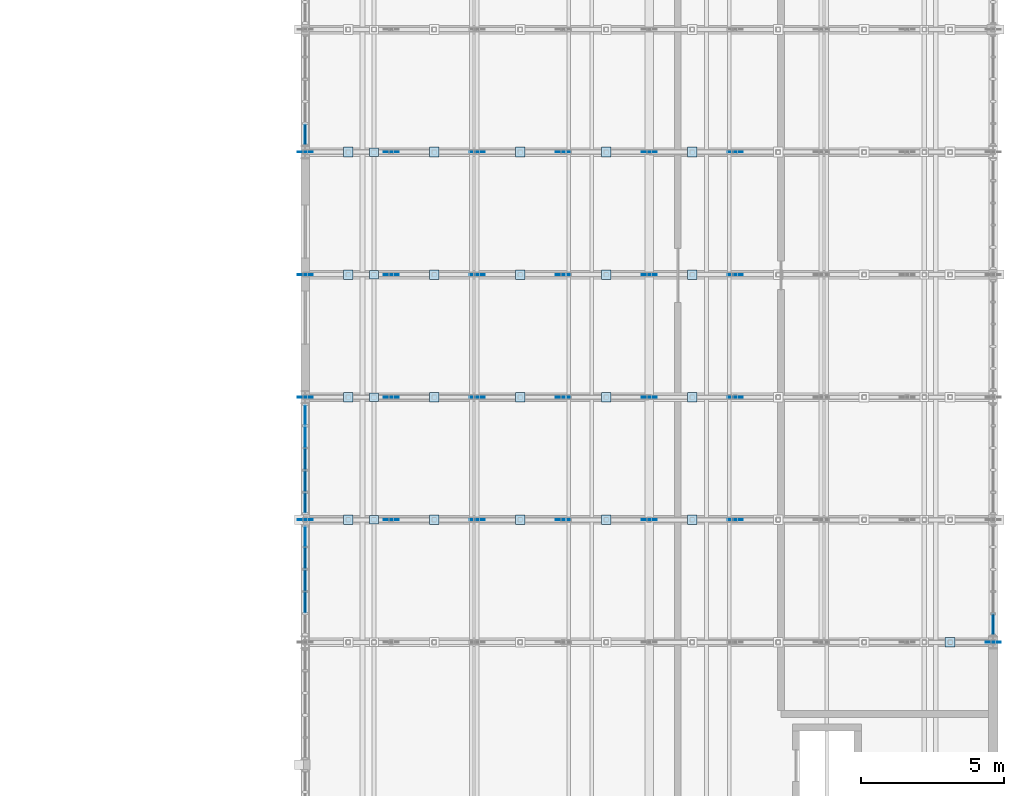
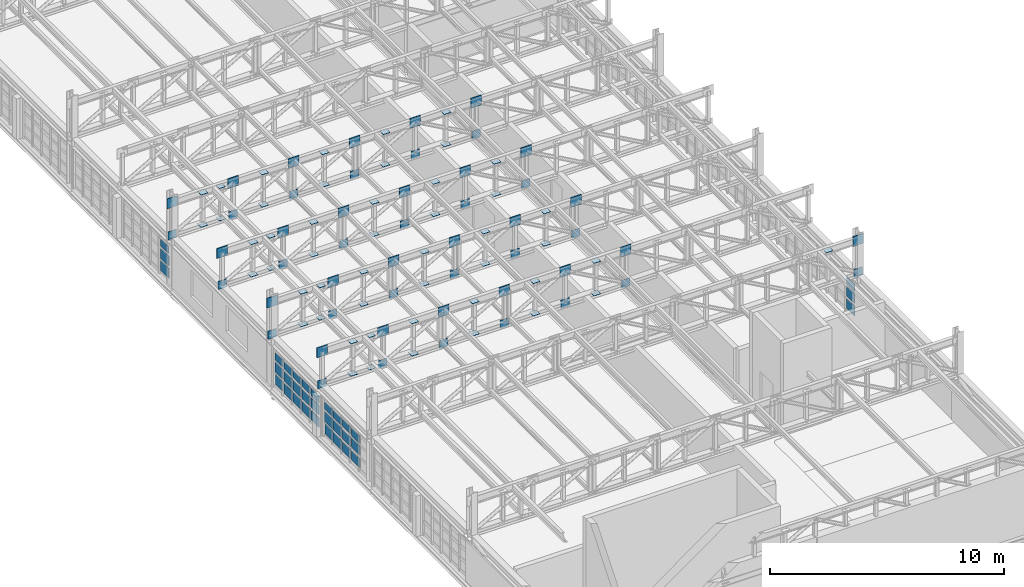
# One storey, part 106 of 128: 132 plates, 4 elements without a shape of their own.
"""IFC4 building model written with IfcOpenShell, lengths in metres."""

from ifc_helpers import new_model, si_unit, direction, frame, origin, origin_2d, place, context, subcontext, project, spatial, rectangle, extrude, material, layer, layer_set, type_object, element, aggregate, save


model = new_model("IFC4")

# Units and contexts
model_context = context("Model", 3, precision=1e-05, world=origin(), true_north=direction((0.0, 1.0)))
body_context = subcontext(model_context, "Body", "Model", "MODEL_VIEW")
ifc_project = project(units=[si_unit("LENGTHUNIT", "METRE"), si_unit("AREAUNIT", "SQUARE_METRE"), si_unit("VOLUMEUNIT", "CUBIC_METRE"), si_unit("PLANEANGLEUNIT", "RADIAN"), si_unit("MASSUNIT", "GRAM", prefix="KILO")], contexts=[model_context])

# Site, building, storey
site_placement = place(None, origin())
site = spatial("IfcSite", under=ifc_project, at=site_placement, CompositionType="ELEMENT")
building_placement = place(site_placement, origin())
building = spatial("IfcBuilding", under=site, at=building_placement, Name="Serraforn Aerial Cableway Station", CompositionType="ELEMENT")
storey_placement = place(building_placement, frame((0.0, 0.0, 9.0)))
storey = spatial("IfcBuildingStorey", under=building, at=storey_placement, Name="L02", CompositionType="ELEMENT", Elevation=9.0)

# Curtain wall, plates
ifc_material_1 = material(Name="Anodised bronze unitised curtain wall")
curtain_wall_type_1 = type_object("IfcCurtainWallType", Name="CW-SYS-25", PredefinedType="USERDEFINED", material=ifc_material_1)
curtain_wall_1_placement = place(storey_placement, origin())
curtain_wall_1 = element("IfcCurtainWall", 1, at=curtain_wall_1_placement, inside=storey, type_object=curtain_wall_type_1, Name="Unitised Curtain Wall CW-EG-L02-W3A", ObjectType="UNITISED CURTAIN WALL", PredefinedType="USERDEFINED")
ifc_material_2 = material(Name="Solar-control low-E double glazing", Category="glass")
ifc_layer_1 = layer(ifc_material_2, 0.028076171875)
ifc_layer_set_1 = layer_set([ifc_layer_1], Name="Solar-control low-E double glazing")
plate_type_1 = type_object("IfcPlateType", Name="CW-GLZ-2", PredefinedType="CURTAIN_PANEL", material=ifc_layer_set_1)
plate_1_placement = place(storey_placement, frame((144.0, 70.62353515625, 0.165283203125), z_axis=(0.0, 0.0, 1.0), x_axis=(1.0, 0.0, 0.0)))
plate_1 = element("IfcPlate", 2, at=plate_1_placement, type_object=plate_type_1, Name="Curtain Wall Panel CW-EG-L02-W3A-P1-1", PredefinedType="CURTAIN_PANEL", context=body_context, shape_type="SweptSolid", body=[
    extrude(rectangle(XDim=0.028076171875, YDim=0.6708984375, at=origin_2d()), origin(), (0.0, 0.0, 1.0), 0.50244140625),
])
ifc_layer_2 = layer(ifc_material_2, 0.030029296875)
ifc_layer_set_2 = layer_set([ifc_layer_2], Name="Solar-control low-E double glazing")
plate_type_2 = type_object("IfcPlateType", Name="CW-GLZ-3", PredefinedType="CURTAIN_PANEL", material=ifc_layer_set_2)
plate_2_placement = place(storey_placement, frame((144.0, 70.62353515625, 0.77392578125), z_axis=(0.0, 0.0, 1.0), x_axis=(1.0, 0.0, 0.0)))
plate_2 = element("IfcPlate", 3, at=plate_2_placement, type_object=plate_type_2, Name="Curtain Wall Panel CW-EG-L02-W3A-P1-2", PredefinedType="CURTAIN_PANEL", context=body_context, shape_type="SweptSolid", body=[
    extrude(rectangle(XDim=0.030029296875, YDim=0.6708984375, at=origin_2d()), origin(), (0.0, 0.0, 1.0), 0.52490234375),
])
plate_3_placement = place(storey_placement, frame((144.0, 69.8603515625, 0.137939453125), z_axis=(0.0, 0.0, 1.0), x_axis=(1.0, 0.0, 0.0)))
plate_3 = element("IfcPlate", 4, at=plate_3_placement, type_object=plate_type_2, Name="Curtain Wall Panel CW-EG-L02-W3A-P2-1", PredefinedType="CURTAIN_PANEL", context=body_context, shape_type="SweptSolid", body=[
    extrude(rectangle(XDim=0.030029296875, YDim=0.71337890625, at=origin_2d()), origin(), (0.0, 0.0, 1.0), 0.52490234375),
])

# Curtain wall, plate
curtain_wall_type_2 = type_object("IfcCurtainWallType", Name="CW-SYS-26", PredefinedType="USERDEFINED", material=ifc_material_1)
curtain_wall_2_placement = place(storey_placement, origin())
curtain_wall_2 = element("IfcCurtainWall", 5, at=curtain_wall_2_placement, inside=storey, type_object=curtain_wall_type_2, Name="Unitised Curtain Wall CW-EG-L02-W3B", ObjectType="UNITISED CURTAIN WALL", PredefinedType="USERDEFINED")
plate_4_placement = place(storey_placement, frame((144.0, 66.384033203125, 0.137939453125), z_axis=(0.0, 0.0, 1.0), x_axis=(1.0, 0.0, 0.0)))
plate_4 = element("IfcPlate", 6, at=plate_4_placement, type_object=plate_type_2, Name="Curtain Wall Panel CW-EG-L02-W3B-P1-1", PredefinedType="CURTAIN_PANEL", context=body_context, shape_type="SweptSolid", body=[
    extrude(rectangle(XDim=0.030029296875, YDim=0.67578125, at=origin_2d()), origin(), (0.0, 0.0, 1.0), 0.52490234375),
])

# Plate
ifc_layer_3 = layer(ifc_material_2, 0.031982421875)
ifc_layer_set_3 = layer_set([ifc_layer_3], Name="Solar-control low-E double glazing")
plate_type_3 = type_object("IfcPlateType", Name="CW-GLZ-4", PredefinedType="CURTAIN_PANEL", material=ifc_layer_set_3)
plate_5_placement = place(storey_placement, frame((144.0, 70.62353515625, 1.414794921875), z_axis=(0.0, 0.0, 1.0), x_axis=(1.0, 0.0, 0.0)))
plate_5 = element("IfcPlate", 7, at=plate_5_placement, type_object=plate_type_3, Name="Curtain Wall Panel CW-EG-L02-W3A-P1-3", PredefinedType="CURTAIN_PANEL", context=body_context, shape_type="SweptSolid", body=[
    extrude(rectangle(XDim=0.031982421875, YDim=0.6708984375, at=origin_2d()), origin(), (0.0, 0.0, 1.0), 0.38525390625),
])

plate_6_placement = place(storey_placement, frame((144.0, 69.8603515625, 0.77880859375), z_axis=(0.0, 0.0, 1.0), x_axis=(1.0, 0.0, 0.0)))
plate_6 = element("IfcPlate", 8, at=plate_6_placement, type_object=plate_type_3, Name="Curtain Wall Panel CW-EG-L02-W3A-P2-2", PredefinedType="CURTAIN_PANEL", context=body_context, shape_type="SweptSolid", body=[
    extrude(rectangle(XDim=0.031982421875, YDim=0.71337890625, at=origin_2d()), origin(), (0.0, 0.0, 1.0), 0.512451171875),
])

plate_7_placement = place(storey_placement, frame((144.0, 69.09228515625, 0.142578125), z_axis=(0.0, 0.0, 1.0), x_axis=(1.0, 0.0, 0.0)))
plate_7 = element("IfcPlate", 9, at=plate_7_placement, type_object=plate_type_3, Name="Curtain Wall Panel CW-EG-L02-W3A-P3-1", PredefinedType="CURTAIN_PANEL", context=body_context, shape_type="SweptSolid", body=[
    extrude(rectangle(XDim=0.031982421875, YDim=0.720947265625, at=origin_2d()), origin(), (0.0, 0.0, 1.0), 0.512451171875),
])

plate_8_placement = place(storey_placement, frame((144.0, 66.384033203125, 0.77880859375), z_axis=(0.0, 0.0, 1.0), x_axis=(1.0, 0.0, 0.0)))
plate_8 = element("IfcPlate", 10, at=plate_8_placement, type_object=plate_type_3, Name="Curtain Wall Panel CW-EG-L02-W3B-P1-2", PredefinedType="CURTAIN_PANEL", context=body_context, shape_type="SweptSolid", body=[
    extrude(rectangle(XDim=0.031982421875, YDim=0.67578125, at=origin_2d()), origin(), (0.0, 0.0, 1.0), 0.512451171875),
])

plate_9_placement = place(storey_placement, frame((144.0, 65.634765625, 0.142578125), z_axis=(0.0, 0.0, 1.0), x_axis=(1.0, 0.0, 0.0)))
plate_9 = element("IfcPlate", 11, at=plate_9_placement, type_object=plate_type_3, Name="Curtain Wall Panel CW-EG-L02-W3B-P2-1", PredefinedType="CURTAIN_PANEL", context=body_context, shape_type="SweptSolid", body=[
    extrude(rectangle(XDim=0.031982421875, YDim=0.720947265625, at=origin_2d()), origin(), (0.0, 0.0, 1.0), 0.512451171875),
])

# Curtain wall, plate
curtain_wall_type_3 = type_object("IfcCurtainWallType", Name="CW-SYS-27", PredefinedType="USERDEFINED", material=ifc_material_1)
curtain_wall_3_placement = place(storey_placement, origin())
curtain_wall_3 = element("IfcCurtainWall", 12, at=curtain_wall_3_placement, inside=storey, type_object=curtain_wall_type_3, Name="Unitised Curtain Wall CW-EG-L02-E3A", ObjectType="UNITISED CURTAIN WALL", PredefinedType="USERDEFINED")
plate_10_placement = place(storey_placement, frame((168.0, 63.32275390625, 0.142578125), z_axis=(0.0, 0.0, 1.0), x_axis=(1.0, 0.0, 0.0)))
plate_10 = element("IfcPlate", 13, at=plate_10_placement, type_object=plate_type_3, Name="Curtain Wall Panel CW-EG-L02-E3A-P1-1", PredefinedType="CURTAIN_PANEL", context=body_context, shape_type="SweptSolid", body=[
    extrude(rectangle(XDim=0.031982421875, YDim=0.693359375, at=origin_2d()), origin(), (0.0, 0.0, 1.0), 0.512451171875),
])

# Plate
ifc_layer_4 = layer(ifc_material_2, 0.033935546875)
ifc_layer_set_4 = layer_set([ifc_layer_4], Name="Solar-control low-E double glazing")
plate_type_4 = type_object("IfcPlateType", Name="CW-GLZ-5", PredefinedType="CURTAIN_PANEL", material=ifc_layer_set_4)
plate_11_placement = place(storey_placement, frame((144.0, 69.8603515625, 1.42236328125), z_axis=(0.0, 0.0, 1.0), x_axis=(1.0, 0.0, 0.0)))
plate_11 = element("IfcPlate", 14, at=plate_11_placement, type_object=plate_type_4, Name="Curtain Wall Panel CW-EG-L02-W3A-P2-3", PredefinedType="CURTAIN_PANEL", context=body_context, shape_type="SweptSolid", body=[
    extrude(rectangle(XDim=0.033935546875, YDim=0.71337890625, at=origin_2d()), origin(), (0.0, 0.0, 1.0), 0.370361328125),
])

plate_12_placement = place(storey_placement, frame((144.0, 69.09228515625, 0.786376953125), z_axis=(0.0, 0.0, 1.0), x_axis=(1.0, 0.0, 0.0)))
plate_12 = element("IfcPlate", 15, at=plate_12_placement, type_object=plate_type_4, Name="Curtain Wall Panel CW-EG-L02-W3A-P3-2", PredefinedType="CURTAIN_PANEL", context=body_context, shape_type="SweptSolid", body=[
    extrude(rectangle(XDim=0.033935546875, YDim=0.720947265625, at=origin_2d()), origin(), (0.0, 0.0, 1.0), 0.49755859375),
])

plate_13_placement = place(storey_placement, frame((144.0, 68.31787109375, 0.150390625), z_axis=(0.0, 0.0, 1.0), x_axis=(1.0, 0.0, 0.0)))
plate_13 = element("IfcPlate", 16, at=plate_13_placement, type_object=plate_type_4, Name="Curtain Wall Panel CW-EG-L02-W3A-P4-1", PredefinedType="CURTAIN_PANEL", context=body_context, shape_type="SweptSolid", body=[
    extrude(rectangle(XDim=0.033935546875, YDim=0.7158203125, at=origin_2d()), origin(), (0.0, 0.0, 1.0), 0.49755859375),
])

plate_14_placement = place(storey_placement, frame((144.0, 66.384033203125, 1.42236328125), z_axis=(0.0, 0.0, 1.0), x_axis=(1.0, 0.0, 0.0)))
plate_14 = element("IfcPlate", 17, at=plate_14_placement, type_object=plate_type_4, Name="Curtain Wall Panel CW-EG-L02-W3B-P1-3", PredefinedType="CURTAIN_PANEL", context=body_context, shape_type="SweptSolid", body=[
    extrude(rectangle(XDim=0.033935546875, YDim=0.67578125, at=origin_2d()), origin(), (0.0, 0.0, 1.0), 0.370361328125),
])

plate_15_placement = place(storey_placement, frame((144.0, 65.634765625, 0.786376953125), z_axis=(0.0, 0.0, 1.0), x_axis=(1.0, 0.0, 0.0)))
plate_15 = element("IfcPlate", 18, at=plate_15_placement, type_object=plate_type_4, Name="Curtain Wall Panel CW-EG-L02-W3B-P2-2", PredefinedType="CURTAIN_PANEL", context=body_context, shape_type="SweptSolid", body=[
    extrude(rectangle(XDim=0.033935546875, YDim=0.720947265625, at=origin_2d()), origin(), (0.0, 0.0, 1.0), 0.49755859375),
])

plate_16_placement = place(storey_placement, frame((144.0, 64.8603515625, 0.150390625), z_axis=(0.0, 0.0, 1.0), x_axis=(1.0, 0.0, 0.0)))
plate_16 = element("IfcPlate", 19, at=plate_16_placement, type_object=plate_type_4, Name="Curtain Wall Panel CW-EG-L02-W3B-P3-1", PredefinedType="CURTAIN_PANEL", context=body_context, shape_type="SweptSolid", body=[
    extrude(rectangle(XDim=0.033935546875, YDim=0.7158203125, at=origin_2d()), origin(), (0.0, 0.0, 1.0), 0.49755859375),
])

plate_17_placement = place(storey_placement, frame((168.0, 63.32275390625, 0.786376953125), z_axis=(0.0, 0.0, 1.0), x_axis=(1.0, 0.0, 0.0)))
plate_17 = element("IfcPlate", 20, at=plate_17_placement, type_object=plate_type_4, Name="Curtain Wall Panel CW-EG-L02-E3A-P1-2", PredefinedType="CURTAIN_PANEL", context=body_context, shape_type="SweptSolid", body=[
    extrude(rectangle(XDim=0.033935546875, YDim=0.693359375, at=origin_2d()), origin(), (0.0, 0.0, 1.0), 0.49755859375),
])

# Curtain wall, plate
curtain_wall_type_4 = type_object("IfcCurtainWallType", Name="CW-SYS-4", PredefinedType="USERDEFINED", material=ifc_material_1)
curtain_wall_4_placement = place(storey_placement, origin())
curtain_wall_4 = element("IfcCurtainWall", 21, at=curtain_wall_4_placement, inside=storey, type_object=curtain_wall_type_4, Name="Unitised Curtain Wall CW-EG-L02-W5B", ObjectType="UNITISED CURTAIN WALL", PredefinedType="USERDEFINED")
plate_18_placement = place(storey_placement, frame((144.0, 80.4189453125, 0.137939453125), z_axis=(0.0, 0.0, 1.0), x_axis=(1.0, 0.0, 0.0)))
plate_18 = element("IfcPlate", 22, at=plate_18_placement, type_object=plate_type_4, Name="Curtain Wall Panel CW-EG-L02-W5B-P5-1", PredefinedType="CURTAIN_PANEL", context=body_context, shape_type="SweptSolid", body=[
    extrude(rectangle(XDim=0.033935546875, YDim=0.685791015625, at=origin_2d()), origin(), (0.0, 0.0, 1.0), 0.52490234375),
])

# Plate
ifc_layer_5 = layer(ifc_material_2, 0.035888671875)
ifc_layer_set_5 = layer_set([ifc_layer_5], Name="Solar-control low-E double glazing")
plate_type_5 = type_object("IfcPlateType", Name="CW-GLZ-6", PredefinedType="CURTAIN_PANEL", material=ifc_layer_set_5)
plate_19_placement = place(storey_placement, frame((144.0, 69.09228515625, 1.4296875), z_axis=(0.0, 0.0, 1.0), x_axis=(1.0, 0.0, 0.0)))
plate_19 = element("IfcPlate", 23, at=plate_19_placement, type_object=plate_type_5, Name="Curtain Wall Panel CW-EG-L02-W3A-P3-3", PredefinedType="CURTAIN_PANEL", context=body_context, shape_type="SweptSolid", body=[
    extrude(rectangle(XDim=0.035888671875, YDim=0.720947265625, at=origin_2d()), origin(), (0.0, 0.0, 1.0), 0.355224609375),
])

plate_20_placement = place(storey_placement, frame((144.0, 68.31787109375, 0.7939453125), z_axis=(0.0, 0.0, 1.0), x_axis=(1.0, 0.0, 0.0)))
plate_20 = element("IfcPlate", 24, at=plate_20_placement, type_object=plate_type_5, Name="Curtain Wall Panel CW-EG-L02-W3A-P4-2", PredefinedType="CURTAIN_PANEL", context=body_context, shape_type="SweptSolid", body=[
    extrude(rectangle(XDim=0.035888671875, YDim=0.7158203125, at=origin_2d()), origin(), (0.0, 0.0, 1.0), 0.482421875),
])

plate_21_placement = place(storey_placement, frame((144.0, 67.56103515625, 0.15771484375), z_axis=(0.0, 0.0, 1.0), x_axis=(1.0, 0.0, 0.0)))
plate_21 = element("IfcPlate", 25, at=plate_21_placement, type_object=plate_type_5, Name="Curtain Wall Panel CW-EG-L02-W3A-P5-1", PredefinedType="CURTAIN_PANEL", context=body_context, shape_type="SweptSolid", body=[
    extrude(rectangle(XDim=0.035888671875, YDim=0.67578125, at=origin_2d()), origin(), (0.0, 0.0, 1.0), 0.482421875),
])

plate_22_placement = place(storey_placement, frame((144.0, 65.634765625, 1.4296875), z_axis=(0.0, 0.0, 1.0), x_axis=(1.0, 0.0, 0.0)))
plate_22 = element("IfcPlate", 26, at=plate_22_placement, type_object=plate_type_5, Name="Curtain Wall Panel CW-EG-L02-W3B-P2-3", PredefinedType="CURTAIN_PANEL", context=body_context, shape_type="SweptSolid", body=[
    extrude(rectangle(XDim=0.035888671875, YDim=0.720947265625, at=origin_2d()), origin(), (0.0, 0.0, 1.0), 0.355224609375),
])

plate_23_placement = place(storey_placement, frame((144.0, 64.8603515625, 0.7939453125), z_axis=(0.0, 0.0, 1.0), x_axis=(1.0, 0.0, 0.0)))
plate_23 = element("IfcPlate", 27, at=plate_23_placement, type_object=plate_type_5, Name="Curtain Wall Panel CW-EG-L02-W3B-P3-2", PredefinedType="CURTAIN_PANEL", context=body_context, shape_type="SweptSolid", body=[
    extrude(rectangle(XDim=0.035888671875, YDim=0.7158203125, at=origin_2d()), origin(), (0.0, 0.0, 1.0), 0.482421875),
])

plate_24_placement = place(storey_placement, frame((144.0, 64.0859375, 0.15771484375), z_axis=(0.0, 0.0, 1.0), x_axis=(1.0, 0.0, 0.0)))
plate_24 = element("IfcPlate", 28, at=plate_24_placement, type_object=plate_type_5, Name="Curtain Wall Panel CW-EG-L02-W3B-P4-1", PredefinedType="CURTAIN_PANEL", context=body_context, shape_type="SweptSolid", body=[
    extrude(rectangle(XDim=0.035888671875, YDim=0.7109375, at=origin_2d()), origin(), (0.0, 0.0, 1.0), 0.482421875),
])

plate_25_placement = place(storey_placement, frame((168.0, 63.32275390625, 1.4296875), z_axis=(0.0, 0.0, 1.0), x_axis=(1.0, 0.0, 0.0)))
plate_25 = element("IfcPlate", 29, at=plate_25_placement, type_object=plate_type_5, Name="Curtain Wall Panel CW-EG-L02-E3A-P1-3", PredefinedType="CURTAIN_PANEL", context=body_context, shape_type="SweptSolid", body=[
    extrude(rectangle(XDim=0.035888671875, YDim=0.693359375, at=origin_2d()), origin(), (0.0, 0.0, 1.0), 0.355224609375),
])

aggregate(curtain_wall_3, [plate_10, plate_17, plate_25])

plate_26_placement = place(storey_placement, frame((144.0, 80.4189453125, 0.77880859375), z_axis=(0.0, 0.0, 1.0), x_axis=(1.0, 0.0, 0.0)))
plate_26 = element("IfcPlate", 30, at=plate_26_placement, type_object=plate_type_5, Name="Curtain Wall Panel CW-EG-L02-W5B-P5-2", PredefinedType="CURTAIN_PANEL", context=body_context, shape_type="SweptSolid", body=[
    extrude(rectangle(XDim=0.035888671875, YDim=0.685791015625, at=origin_2d()), origin(), (0.0, 0.0, 1.0), 0.512451171875),
])

ifc_layer_6 = layer(ifc_material_2, 0.029052734375)
ifc_layer_set_6 = layer_set([ifc_layer_6], Name="Solar-control low-E double glazing")
plate_type_6 = type_object("IfcPlateType", Name="CW-GLZ-7", PredefinedType="CURTAIN_PANEL", material=ifc_layer_set_6)
plate_27_placement = place(storey_placement, frame((144.0, 68.31787109375, 1.4375), z_axis=(0.0, 0.0, 1.0), x_axis=(1.0, 0.0, 0.0)))
plate_27 = element("IfcPlate", 31, at=plate_27_placement, type_object=plate_type_6, Name="Curtain Wall Panel CW-EG-L02-W3A-P4-3", PredefinedType="CURTAIN_PANEL", context=body_context, shape_type="SweptSolid", body=[
    extrude(rectangle(XDim=0.029052734375, YDim=0.7158203125, at=origin_2d()), origin(), (0.0, 0.0, 1.0), 0.375244140625),
])

plate_28_placement = place(storey_placement, frame((144.0, 67.56103515625, 0.80126953125), z_axis=(0.0, 0.0, 1.0), x_axis=(1.0, 0.0, 0.0)))
plate_28 = element("IfcPlate", 32, at=plate_28_placement, type_object=plate_type_6, Name="Curtain Wall Panel CW-EG-L02-W3A-P5-2", PredefinedType="CURTAIN_PANEL", context=body_context, shape_type="SweptSolid", body=[
    extrude(rectangle(XDim=0.029052734375, YDim=0.67578125, at=origin_2d()), origin(), (0.0, 0.0, 1.0), 0.50244140625),
])

plate_29_placement = place(storey_placement, frame((144.0, 64.8603515625, 1.4375), z_axis=(0.0, 0.0, 1.0), x_axis=(1.0, 0.0, 0.0)))
plate_29 = element("IfcPlate", 33, at=plate_29_placement, type_object=plate_type_6, Name="Curtain Wall Panel CW-EG-L02-W3B-P3-3", PredefinedType="CURTAIN_PANEL", context=body_context, shape_type="SweptSolid", body=[
    extrude(rectangle(XDim=0.029052734375, YDim=0.7158203125, at=origin_2d()), origin(), (0.0, 0.0, 1.0), 0.375244140625),
])

plate_30_placement = place(storey_placement, frame((144.0, 64.0859375, 0.80126953125), z_axis=(0.0, 0.0, 1.0), x_axis=(1.0, 0.0, 0.0)))
plate_30 = element("IfcPlate", 34, at=plate_30_placement, type_object=plate_type_6, Name="Curtain Wall Panel CW-EG-L02-W3B-P4-2", PredefinedType="CURTAIN_PANEL", context=body_context, shape_type="SweptSolid", body=[
    extrude(rectangle(XDim=0.029052734375, YDim=0.7109375, at=origin_2d()), origin(), (0.0, 0.0, 1.0), 0.50244140625),
])

plate_31_placement = place(storey_placement, frame((144.0, 80.4189453125, 1.42236328125), z_axis=(0.0, 0.0, 1.0), x_axis=(1.0, 0.0, 0.0)))
plate_31 = element("IfcPlate", 35, at=plate_31_placement, type_object=plate_type_6, Name="Curtain Wall Panel CW-EG-L02-W5B-P5-3", PredefinedType="CURTAIN_PANEL", context=body_context, shape_type="SweptSolid", body=[
    extrude(rectangle(XDim=0.029052734375, YDim=0.685791015625, at=origin_2d()), origin(), (0.0, 0.0, 1.0), 0.370361328125),
])

aggregate(curtain_wall_4, [plate_18, plate_26, plate_31])

ifc_layer_7 = layer(ifc_material_2, 0.031005859375)
ifc_layer_set_7 = layer_set([ifc_layer_7], Name="Solar-control low-E double glazing")
plate_type_7 = type_object("IfcPlateType", Name="CW-GLZ-8", PredefinedType="CURTAIN_PANEL", material=ifc_layer_set_7)
plate_32_placement = place(storey_placement, frame((144.0, 67.56103515625, 1.40966796875), z_axis=(0.0, 0.0, 1.0), x_axis=(1.0, 0.0, 0.0)))
plate_32 = element("IfcPlate", 36, at=plate_32_placement, type_object=plate_type_7, Name="Curtain Wall Panel CW-EG-L02-W3A-P5-3", PredefinedType="CURTAIN_PANEL", context=body_context, shape_type="SweptSolid", body=[
    extrude(rectangle(XDim=0.031005859375, YDim=0.67578125, at=origin_2d()), origin(), (0.0, 0.0, 1.0), 0.397705078125),
])

aggregate(curtain_wall_1, [plate_1, plate_2, plate_5, plate_3, plate_6, plate_11, plate_7, plate_12, plate_19, plate_13, plate_20, plate_27, plate_21, plate_28, plate_32])

plate_33_placement = place(storey_placement, frame((144.0, 64.0859375, 1.40966796875), z_axis=(0.0, 0.0, 1.0), x_axis=(1.0, 0.0, 0.0)))
plate_33 = element("IfcPlate", 37, at=plate_33_placement, type_object=plate_type_7, Name="Curtain Wall Panel CW-EG-L02-W3B-P4-3", PredefinedType="CURTAIN_PANEL", context=body_context, shape_type="SweptSolid", body=[
    extrude(rectangle(XDim=0.031005859375, YDim=0.7109375, at=origin_2d()), origin(), (0.0, 0.0, 1.0), 0.397705078125),
])

aggregate(curtain_wall_2, [plate_4, plate_8, plate_14, plate_9, plate_15, plate_22, plate_16, plate_23, plate_29, plate_24, plate_30, plate_33])

# Plates
ifc_material_3 = material(Name="Steel S355J2", Category="steel")
ifc_layer_8 = layer(ifc_material_3, 0.01611328125)
ifc_layer_set_8 = layer_set([ifc_layer_8], Name="Steel S355J2")
plate_type_8 = type_object("IfcPlateType", Name="PLT-CAP-16", PredefinedType="USERDEFINED", material=ifc_layer_set_8)
for number, where, z_axis, x_axis, name in (
    (38, (146.39990234375, 66.97509765625, 2.592041015625), (0.0, 0.0, 1.0), (1.0, 0.0, 0.0), "Suspension Post Bottom Cap 013"),
    (39, (146.39990234375, 66.97509765625, 4.281982421875), (0.0, 0.0, 1.0), (1.0, 0.0, 0.0), "Suspension Post Top Cap 013"),
    (40, (146.39990234375, 71.25, 2.592041015625), (0.0, 0.0, 1.0), (1.0, 0.0, 0.0), "Suspension Post Bottom Cap 019"),
    (41, (146.39990234375, 71.25, 4.281982421875), (0.0, 0.0, 1.0), (1.0, 0.0, 0.0), "Suspension Post Top Cap 019"),
    (42, (146.39990234375, 75.52490234375, 2.592041015625), (0.0, 0.0, 1.0), (1.0, 0.0, 0.0), "Suspension Post Bottom Cap 025"),
    (43, (146.39990234375, 75.52490234375, 4.281982421875), (0.0, 0.0, 1.0), (1.0, 0.0, 0.0), "Suspension Post Top Cap 025"),
    (44, (146.39990234375, 79.800048828125, 2.592041015625), (0.0, 0.0, 1.0), (1.0, 0.0, 0.0), "Suspension Post Bottom Cap 031"),
    (45, (146.39990234375, 79.800048828125, 4.281982421875), (0.0, 0.0, 1.0), (1.0, 0.0, 0.0), "Suspension Post Top Cap 031"),
):
    element("IfcPlate", number, at=place(storey_placement, frame(where, z_axis=z_axis, x_axis=x_axis)), inside=storey, type_object=plate_type_8, Name=name, ObjectType="CAP PLATE", PredefinedType="USERDEFINED", context=body_context, shape_type="SweptSolid", body=[
        extrude(rectangle(XDim=0.300048828125, YDim=0.300048828125, at=origin_2d()), origin(), (0.0, 0.0, 1.0), 0.01611328125),
    ])
ifc_layer_9 = layer(ifc_material_3, 0.01806640625)
ifc_layer_set_9 = layer_set([ifc_layer_9], Name="Steel S355J2")
plate_type_9 = type_object("IfcPlateType", Name="PLT-CAP-18", PredefinedType="USERDEFINED", material=ifc_layer_set_9)
for number, where, z_axis, x_axis, name in (
    (46, (166.5, 62.699951171875, 4.281005859375), (0.0, 0.0, 1.0), (1.0, 0.0, 0.0), "Sub-Vertical Strut Top Cap GT-03-8"),
    (47, (145.5, 66.97509765625, 2.591064453125), (0.0, 0.0, 1.0), (1.0, 0.0, 0.0), "Sub-Vertical Strut Bottom Cap GT-04-1"),
    (48, (145.5, 66.97509765625, 4.281005859375), (0.0, 0.0, 1.0), (1.0, 0.0, 0.0), "Sub-Vertical Strut Top Cap GT-04-1"),
    (49, (148.5, 66.97509765625, 2.591064453125), (0.0, 0.0, 1.0), (1.0, 0.0, 0.0), "Sub-Vertical Strut Bottom Cap GT-04-2"),
    (50, (148.5, 66.97509765625, 4.281005859375), (0.0, 0.0, 1.0), (1.0, 0.0, 0.0), "Sub-Vertical Strut Top Cap GT-04-2"),
    (51, (151.5, 66.97509765625, 2.591064453125), (0.0, 0.0, 1.0), (1.0, 0.0, 0.0), "Sub-Vertical Strut Bottom Cap GT-04-3"),
    (52, (151.5, 66.97509765625, 4.281005859375), (0.0, 0.0, 1.0), (1.0, 0.0, 0.0), "Sub-Vertical Strut Top Cap GT-04-3"),
    (53, (154.5, 66.97509765625, 2.591064453125), (0.0, 0.0, 1.0), (1.0, 0.0, 0.0), "Sub-Vertical Strut Bottom Cap GT-04-4"),
    (54, (154.5, 66.97509765625, 4.281005859375), (0.0, 0.0, 1.0), (1.0, 0.0, 0.0), "Sub-Vertical Strut Top Cap GT-04-4"),
    (55, (157.5, 66.97509765625, 2.591064453125), (0.0, 0.0, 1.0), (1.0, 0.0, 0.0), "Sub-Vertical Strut Bottom Cap GT-04-5"),
    (56, (157.5, 66.97509765625, 4.281005859375), (0.0, 0.0, 1.0), (1.0, 0.0, 0.0), "Sub-Vertical Strut Top Cap GT-04-5"),
    (57, (145.5, 71.25, 2.591064453125), (0.0, 0.0, 1.0), (1.0, 0.0, 0.0), "Sub-Vertical Strut Bottom Cap GT-05-1"),
    (58, (145.5, 71.25, 4.281005859375), (0.0, 0.0, 1.0), (1.0, 0.0, 0.0), "Sub-Vertical Strut Top Cap GT-05-1"),
    (59, (148.5, 71.25, 2.591064453125), (0.0, 0.0, 1.0), (1.0, 0.0, 0.0), "Sub-Vertical Strut Bottom Cap GT-05-2"),
    (60, (148.5, 71.25, 4.281005859375), (0.0, 0.0, 1.0), (1.0, 0.0, 0.0), "Sub-Vertical Strut Top Cap GT-05-2"),
    (61, (151.5, 71.25, 2.591064453125), (0.0, 0.0, 1.0), (1.0, 0.0, 0.0), "Sub-Vertical Strut Bottom Cap GT-05-3"),
    (62, (151.5, 71.25, 4.281005859375), (0.0, 0.0, 1.0), (1.0, 0.0, 0.0), "Sub-Vertical Strut Top Cap GT-05-3"),
    (63, (154.5, 71.25, 2.591064453125), (0.0, 0.0, 1.0), (1.0, 0.0, 0.0), "Sub-Vertical Strut Bottom Cap GT-05-4"),
    (64, (154.5, 71.25, 4.281005859375), (0.0, 0.0, 1.0), (1.0, 0.0, 0.0), "Sub-Vertical Strut Top Cap GT-05-4"),
    (65, (157.5, 71.25, 2.591064453125), (0.0, 0.0, 1.0), (1.0, 0.0, 0.0), "Sub-Vertical Strut Bottom Cap GT-05-5"),
    (66, (157.5, 71.25, 4.281005859375), (0.0, 0.0, 1.0), (1.0, 0.0, 0.0), "Sub-Vertical Strut Top Cap GT-05-5"),
    (67, (145.5, 75.52490234375, 2.591064453125), (0.0, 0.0, 1.0), (1.0, 0.0, 0.0), "Sub-Vertical Strut Bottom Cap GT-06-1"),
    (68, (145.5, 75.52490234375, 4.281005859375), (0.0, 0.0, 1.0), (1.0, 0.0, 0.0), "Sub-Vertical Strut Top Cap GT-06-1"),
    (69, (148.5, 75.52490234375, 2.591064453125), (0.0, 0.0, 1.0), (1.0, 0.0, 0.0), "Sub-Vertical Strut Bottom Cap GT-06-2"),
    (70, (148.5, 75.52490234375, 4.281005859375), (0.0, 0.0, 1.0), (1.0, 0.0, 0.0), "Sub-Vertical Strut Top Cap GT-06-2"),
    (71, (151.5, 75.52490234375, 2.591064453125), (0.0, 0.0, 1.0), (1.0, 0.0, 0.0), "Sub-Vertical Strut Bottom Cap GT-06-3"),
    (72, (151.5, 75.52490234375, 4.281005859375), (0.0, 0.0, 1.0), (1.0, 0.0, 0.0), "Sub-Vertical Strut Top Cap GT-06-3"),
    (73, (154.5, 75.52490234375, 2.591064453125), (0.0, 0.0, 1.0), (1.0, 0.0, 0.0), "Sub-Vertical Strut Bottom Cap GT-06-4"),
    (74, (154.5, 75.52490234375, 4.281005859375), (0.0, 0.0, 1.0), (1.0, 0.0, 0.0), "Sub-Vertical Strut Top Cap GT-06-4"),
    (75, (157.5, 75.52490234375, 2.591064453125), (0.0, 0.0, 1.0), (1.0, 0.0, 0.0), "Sub-Vertical Strut Bottom Cap GT-06-5"),
    (76, (157.5, 75.52490234375, 4.281005859375), (0.0, 0.0, 1.0), (1.0, 0.0, 0.0), "Sub-Vertical Strut Top Cap GT-06-5"),
    (77, (145.5, 79.800048828125, 2.591064453125), (0.0, 0.0, 1.0), (1.0, 0.0, 0.0), "Sub-Vertical Strut Bottom Cap GT-07-1"),
    (78, (145.5, 79.800048828125, 4.281005859375), (0.0, 0.0, 1.0), (1.0, 0.0, 0.0), "Sub-Vertical Strut Top Cap GT-07-1"),
    (79, (148.5, 79.800048828125, 2.591064453125), (0.0, 0.0, 1.0), (1.0, 0.0, 0.0), "Sub-Vertical Strut Bottom Cap GT-07-2"),
    (80, (148.5, 79.800048828125, 4.281005859375), (0.0, 0.0, 1.0), (1.0, 0.0, 0.0), "Sub-Vertical Strut Top Cap GT-07-2"),
    (81, (151.5, 79.800048828125, 2.591064453125), (0.0, 0.0, 1.0), (1.0, 0.0, 0.0), "Sub-Vertical Strut Bottom Cap GT-07-3"),
    (82, (151.5, 79.800048828125, 4.281005859375), (0.0, 0.0, 1.0), (1.0, 0.0, 0.0), "Sub-Vertical Strut Top Cap GT-07-3"),
    (83, (154.5, 79.800048828125, 2.591064453125), (0.0, 0.0, 1.0), (1.0, 0.0, 0.0), "Sub-Vertical Strut Bottom Cap GT-07-4"),
    (84, (154.5, 79.800048828125, 4.281005859375), (0.0, 0.0, 1.0), (1.0, 0.0, 0.0), "Sub-Vertical Strut Top Cap GT-07-4"),
    (85, (157.5, 79.800048828125, 2.591064453125), (0.0, 0.0, 1.0), (1.0, 0.0, 0.0), "Sub-Vertical Strut Bottom Cap GT-07-5"),
    (86, (157.5, 79.800048828125, 4.281005859375), (0.0, 0.0, 1.0), (1.0, 0.0, 0.0), "Sub-Vertical Strut Top Cap GT-07-5"),
):
    element("IfcPlate", number, at=place(storey_placement, frame(where, z_axis=z_axis, x_axis=x_axis)), inside=storey, type_object=plate_type_9, Name=name, ObjectType="CAP PLATE", PredefinedType="USERDEFINED", context=body_context, shape_type="SweptSolid", body=[
        extrude(rectangle(XDim=0.340087890625, YDim=0.340087890625, at=origin_2d()), origin(), (0.0, 0.0, 1.0), 0.01806640625),
    ])
ifc_layer_10 = layer(ifc_material_3, 0.02197265625)
ifc_layer_set_10 = layer_set([ifc_layer_10], Name="Steel S355J2")
plate_type_10 = type_object("IfcPlateType", Name="PLT-CAP-22", PredefinedType="USERDEFINED", material=ifc_layer_set_10)
for number, where, z_axis, x_axis, name in (
    (87, (168.0, 62.699951171875, 2.39013671875), (0.0, 0.0, 1.0), (1.0, 0.0, 0.0), "Garage Truss Bottom Node GT-03-9"),
    (88, (144.0, 66.97509765625, 2.39013671875), (0.0, 0.0, 1.0), (1.0, 0.0, 0.0), "Garage Truss Bottom Node GT-04-1"),
    (89, (147.0, 66.97509765625, 2.39013671875), (0.0, 0.0, 1.0), (1.0, 0.0, 0.0), "Garage Truss Bottom Node GT-04-2"),
    (90, (150.0, 66.97509765625, 2.39013671875), (0.0, 0.0, 1.0), (1.0, 0.0, 0.0), "Garage Truss Bottom Node GT-04-3"),
    (91, (153.0, 66.97509765625, 2.39013671875), (0.0, 0.0, 1.0), (1.0, 0.0, 0.0), "Garage Truss Bottom Node GT-04-4"),
    (92, (156.0, 66.97509765625, 2.39013671875), (0.0, 0.0, 1.0), (1.0, 0.0, 0.0), "Garage Truss Bottom Node GT-04-5"),
    (93, (159.0, 66.97509765625, 2.39013671875), (0.0, 0.0, 1.0), (1.0, 0.0, 0.0), "Garage Truss Bottom Node GT-04-6"),
    (94, (144.0, 71.25, 2.39013671875), (0.0, 0.0, 1.0), (1.0, 0.0, 0.0), "Garage Truss Bottom Node GT-05-1"),
    (95, (147.0, 71.25, 2.39013671875), (0.0, 0.0, 1.0), (1.0, 0.0, 0.0), "Garage Truss Bottom Node GT-05-2"),
    (96, (150.0, 71.25, 2.39013671875), (0.0, 0.0, 1.0), (1.0, 0.0, 0.0), "Garage Truss Bottom Node GT-05-3"),
    (97, (153.0, 71.25, 2.39013671875), (0.0, 0.0, 1.0), (1.0, 0.0, 0.0), "Garage Truss Bottom Node GT-05-4"),
    (98, (156.0, 71.25, 2.39013671875), (0.0, 0.0, 1.0), (1.0, 0.0, 0.0), "Garage Truss Bottom Node GT-05-5"),
    (99, (159.0, 71.25, 2.39013671875), (0.0, 0.0, 1.0), (1.0, 0.0, 0.0), "Garage Truss Bottom Node GT-05-6"),
    (100, (144.0, 75.52490234375, 2.39013671875), (0.0, 0.0, 1.0), (1.0, 0.0, 0.0), "Garage Truss Bottom Node GT-06-1"),
    (101, (147.0, 75.52490234375, 2.39013671875), (0.0, 0.0, 1.0), (1.0, 0.0, 0.0), "Garage Truss Bottom Node GT-06-2"),
    (102, (150.0, 75.52490234375, 2.39013671875), (0.0, 0.0, 1.0), (1.0, 0.0, 0.0), "Garage Truss Bottom Node GT-06-3"),
    (103, (153.0, 75.52490234375, 2.39013671875), (0.0, 0.0, 1.0), (1.0, 0.0, 0.0), "Garage Truss Bottom Node GT-06-4"),
    (104, (156.0, 75.52490234375, 2.39013671875), (0.0, 0.0, 1.0), (1.0, 0.0, 0.0), "Garage Truss Bottom Node GT-06-5"),
    (105, (159.0, 75.52490234375, 2.39013671875), (0.0, 0.0, 1.0), (1.0, 0.0, 0.0), "Garage Truss Bottom Node GT-06-6"),
    (106, (144.0, 79.800048828125, 2.39013671875), (0.0, 0.0, 1.0), (1.0, 0.0, 0.0), "Garage Truss Bottom Node GT-07-1"),
    (107, (147.0, 79.800048828125, 2.39013671875), (0.0, 0.0, 1.0), (1.0, 0.0, 0.0), "Garage Truss Bottom Node GT-07-2"),
    (108, (150.0, 79.800048828125, 2.39013671875), (0.0, 0.0, 1.0), (1.0, 0.0, 0.0), "Garage Truss Bottom Node GT-07-3"),
    (109, (153.0, 79.800048828125, 2.39013671875), (0.0, 0.0, 1.0), (1.0, 0.0, 0.0), "Garage Truss Bottom Node GT-07-4"),
    (110, (156.0, 79.800048828125, 2.39013671875), (0.0, 0.0, 1.0), (1.0, 0.0, 0.0), "Garage Truss Bottom Node GT-07-5"),
    (111, (159.0, 79.800048828125, 2.39013671875), (0.0, 0.0, 1.0), (1.0, 0.0, 0.0), "Garage Truss Bottom Node GT-07-6"),
):
    element("IfcPlate", number, at=place(storey_placement, frame(where, z_axis=z_axis, x_axis=x_axis)), inside=storey, type_object=plate_type_10, Name=name, ObjectType="CAP PLATE", PredefinedType="USERDEFINED", context=body_context, shape_type="SweptSolid", body=[
        extrude(rectangle(XDim=0.419921875, YDim=0.02197265625, at=origin_2d()), origin(), (0.0, 0.0, 1.0), 0.419921875),
    ])
ifc_layer_11 = layer(ifc_material_3, 0.02587890625)
ifc_layer_set_11 = layer_set([ifc_layer_11], Name="Steel S355J2")
plate_type_11 = type_object("IfcPlateType", Name="PLT-GUS-26", PredefinedType="USERDEFINED", material=ifc_layer_set_11)
for number, where, z_axis, x_axis, name in (
    (112, (168.0, 62.699951171875, 4.030029296875), (0.0, 0.0, 1.0), (1.0, 0.0, 0.0), "Garage Truss Top Node GT-03-9"),
    (113, (144.0, 66.97509765625, 4.030029296875), (0.0, 0.0, 1.0), (1.0, 0.0, 0.0), "Garage Truss Top Node GT-04-1"),
    (114, (147.0, 66.97509765625, 4.030029296875), (0.0, 0.0, 1.0), (1.0, 0.0, 0.0), "Garage Truss Top Node GT-04-2"),
    (115, (150.0, 66.97509765625, 4.030029296875), (0.0, 0.0, 1.0), (1.0, 0.0, 0.0), "Garage Truss Top Node GT-04-3"),
    (116, (153.0, 66.97509765625, 4.030029296875), (0.0, 0.0, 1.0), (1.0, 0.0, 0.0), "Garage Truss Top Node GT-04-4"),
    (117, (156.0, 66.97509765625, 4.030029296875), (0.0, 0.0, 1.0), (1.0, 0.0, 0.0), "Garage Truss Top Node GT-04-5"),
    (118, (159.0, 66.97509765625, 4.030029296875), (0.0, 0.0, 1.0), (1.0, 0.0, 0.0), "Garage Truss Top Node GT-04-6"),
    (119, (144.0, 71.25, 4.030029296875), (0.0, 0.0, 1.0), (1.0, 0.0, 0.0), "Garage Truss Top Node GT-05-1"),
    (120, (147.0, 71.25, 4.030029296875), (0.0, 0.0, 1.0), (1.0, 0.0, 0.0), "Garage Truss Top Node GT-05-2"),
    (121, (150.0, 71.25, 4.030029296875), (0.0, 0.0, 1.0), (1.0, 0.0, 0.0), "Garage Truss Top Node GT-05-3"),
    (122, (153.0, 71.25, 4.030029296875), (0.0, 0.0, 1.0), (1.0, 0.0, 0.0), "Garage Truss Top Node GT-05-4"),
    (123, (156.0, 71.25, 4.030029296875), (0.0, 0.0, 1.0), (1.0, 0.0, 0.0), "Garage Truss Top Node GT-05-5"),
    (124, (159.0, 71.25, 4.030029296875), (0.0, 0.0, 1.0), (1.0, 0.0, 0.0), "Garage Truss Top Node GT-05-6"),
    (125, (144.0, 75.52490234375, 4.030029296875), (0.0, 0.0, 1.0), (1.0, 0.0, 0.0), "Garage Truss Top Node GT-06-1"),
    (126, (147.0, 75.52490234375, 4.030029296875), (0.0, 0.0, 1.0), (1.0, 0.0, 0.0), "Garage Truss Top Node GT-06-2"),
    (127, (150.0, 75.52490234375, 4.030029296875), (0.0, 0.0, 1.0), (1.0, 0.0, 0.0), "Garage Truss Top Node GT-06-3"),
    (128, (153.0, 75.52490234375, 4.030029296875), (0.0, 0.0, 1.0), (1.0, 0.0, 0.0), "Garage Truss Top Node GT-06-4"),
    (129, (156.0, 75.52490234375, 4.030029296875), (0.0, 0.0, 1.0), (1.0, 0.0, 0.0), "Garage Truss Top Node GT-06-5"),
    (130, (159.0, 75.52490234375, 4.030029296875), (0.0, 0.0, 1.0), (1.0, 0.0, 0.0), "Garage Truss Top Node GT-06-6"),
    (131, (144.0, 79.800048828125, 4.030029296875), (0.0, 0.0, 1.0), (1.0, 0.0, 0.0), "Garage Truss Top Node GT-07-1"),
    (132, (147.0, 79.800048828125, 4.030029296875), (0.0, 0.0, 1.0), (1.0, 0.0, 0.0), "Garage Truss Top Node GT-07-2"),
    (133, (150.0, 79.800048828125, 4.030029296875), (0.0, 0.0, 1.0), (1.0, 0.0, 0.0), "Garage Truss Top Node GT-07-3"),
    (134, (153.0, 79.800048828125, 4.030029296875), (0.0, 0.0, 1.0), (1.0, 0.0, 0.0), "Garage Truss Top Node GT-07-4"),
    (135, (156.0, 79.800048828125, 4.030029296875), (0.0, 0.0, 1.0), (1.0, 0.0, 0.0), "Garage Truss Top Node GT-07-5"),
    (136, (159.0, 79.800048828125, 4.030029296875), (0.0, 0.0, 1.0), (1.0, 0.0, 0.0), "Garage Truss Top Node GT-07-6"),
):
    element("IfcPlate", number, at=place(storey_placement, frame(where, z_axis=z_axis, x_axis=x_axis)), inside=storey, type_object=plate_type_11, Name=name, ObjectType="GUSSET PLATE", PredefinedType="USERDEFINED", context=body_context, shape_type="SweptSolid", body=[
        extrude(rectangle(XDim=0.52001953125, YDim=0.02587890625, at=origin_2d()), origin(), (0.0, 0.0, 1.0), 0.52001953125),
    ])

save(model, "model.ifc")
